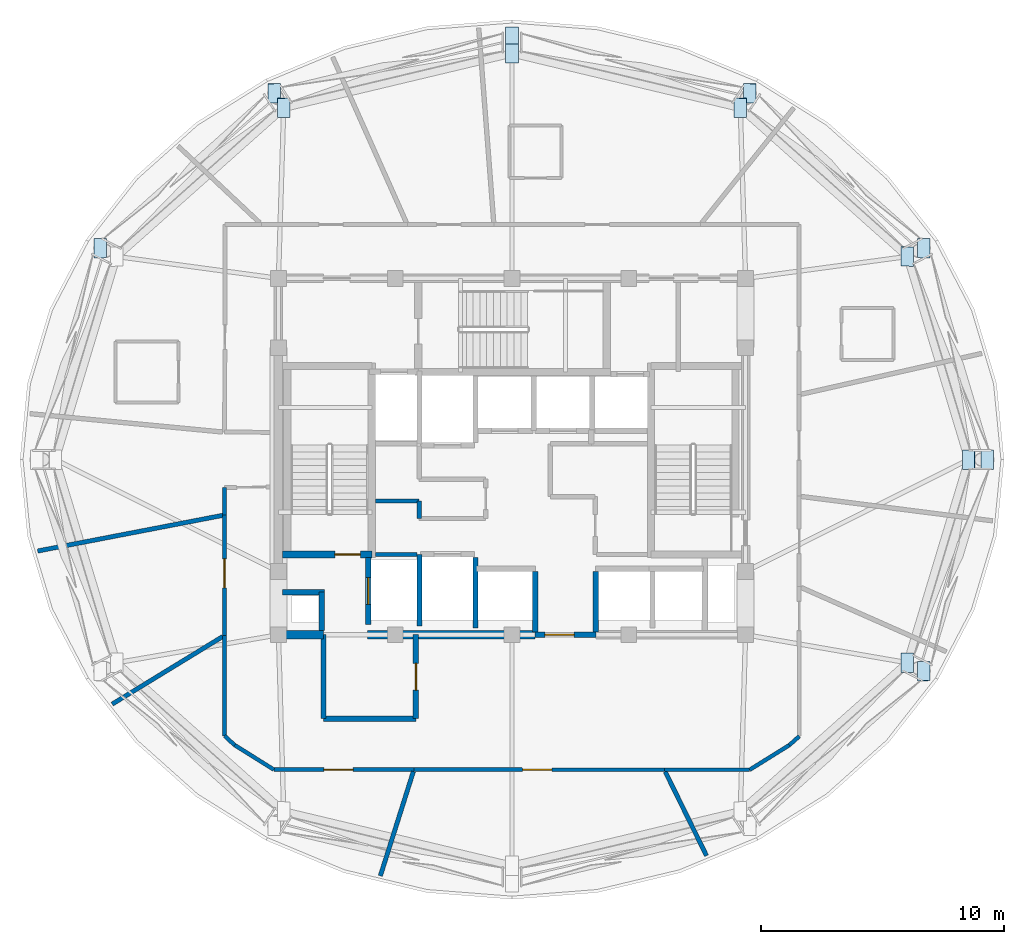
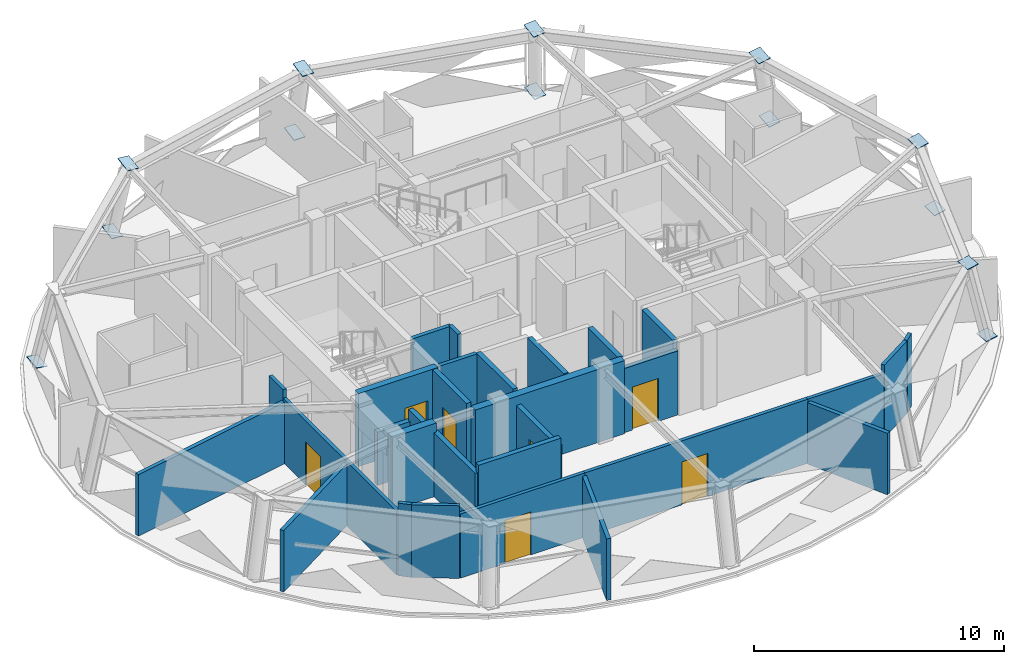
# One storey, part 4 of 11: 31 walls, 13 plates, 7 doors, 7 openings.
"""IFC4 building model written with IfcOpenShell, lengths in metres."""

from ifc_helpers import new_model, si_unit, direction, frame, frame_2d, origin, place, context, subcontext, project, spatial, polyline, rectangle, outline, extrude, material, layer, layer_set, type_object, element, fill, save


model = new_model("IFC4")

# Units and contexts
model_context = context("Model", 3, precision=1e-05, world=origin(), true_north=direction((0.0, 1.0)))
body_context = subcontext(model_context, "Body", "Model", "MODEL_VIEW")
ifc_project = project(units=[si_unit("LENGTHUNIT", "METRE"), si_unit("AREAUNIT", "SQUARE_METRE"), si_unit("VOLUMEUNIT", "CUBIC_METRE"), si_unit("PLANEANGLEUNIT", "RADIAN"), si_unit("MASSUNIT", "GRAM", prefix="KILO")], contexts=[model_context])

# Site, building, storey
site_placement = place(None, origin())
site = spatial("IfcSite", under=ifc_project, at=site_placement, CompositionType="ELEMENT")
building_placement = place(site_placement, origin())
building = spatial("IfcBuilding", under=site, at=building_placement, Name="Vantalir Tower", CompositionType="ELEMENT")
storey_placement = place(building_placement, frame((0.0, 0.0, 278.85009765625)))
storey = spatial("IfcBuildingStorey", under=building, at=storey_placement, Name="L70", CompositionType="ELEMENT", Elevation=278.85009765625)

# Plates
ifc_material_1 = material(Name="Steel S460", Category="steel")
ifc_layer_1 = layer(ifc_material_1, 0.031982421875)
ifc_layer_set_1 = layer_set([ifc_layer_1], Name="Steel S460")
plate_type = type_object("IfcPlateType", Name="PLT-KN-Z3", PredefinedType="USERDEFINED", material=ifc_layer_set_1)
plate_1_placement = place(storey_placement, frame((50.010986328125, 25.39990234375, 3.537841796875), z_axis=(-0.213696878805, 0.0, 0.976900017396), x_axis=(0.0, -1.0, 0.0)))
element("IfcPlate", 1, at=plate_1_placement, inside=storey, type_object=plate_type, Name="L70 Ring Column Top Cap RC01", ObjectType="FLANGE_PLATE", PredefinedType="USERDEFINED", context=body_context, shape_type="SweptSolid", body=[
    extrude(outline(polyline([(0.0, 0.0), (0.7998046875, 0.0), (0.7998046875, 0.5198203408302481), (0.0, 0.5198203408302481), (0.0, 0.0)])), origin(), (0.0, 0.0, -1.0), 0.031982421875),
])
plate_2_placement = place(storey_placement, frame((50.78466796875, 25.39990234375, -0.00390625), z_axis=(-0.213598875522, 0.0, 0.976921450464), x_axis=(0.0, -1.0, 0.0)))
element("IfcPlate", 2, at=plate_2_placement, inside=storey, type_object=plate_type, Name="L70 Ring Column Base Cap RC01", ObjectType="FLANGE_PLATE", PredefinedType="USERDEFINED", context=body_context, shape_type="SweptSolid", body=[
    extrude(outline(polyline([(0.0, 0.0), (0.7998046875, 0.0), (0.7998046875, 0.520058844427999), (0.0, 0.520058844427999), (0.0, 0.0)])), origin(), (0.0, 0.0, -1.0), 0.031982421875),
])
plate_3_placement = place(storey_placement, frame((47.4951171875, 33.75048828125, 3.584228515625), z_axis=(-0.185396801421, -0.095358654348, 0.97802594703), x_axis=(-2.697903e-06, -0.995280337129, -0.097041488642)))
element("IfcPlate", 3, at=plate_3_placement, inside=storey, type_object=plate_type, Name="L70 Ring Column Top Cap RC02", ObjectType="FLANGE_PLATE", PredefinedType="USERDEFINED", context=body_context, shape_type="SweptSolid", body=[
    extrude(outline(polyline([(0.0, 0.0), (0.7999190363194816, 1.734723475976807e-18), (0.8000833384191476, 0.5200034008019636), (-7.868626389083769e-05, 0.5199990077794493), (0.0, 0.0)])), origin(), (0.0, 0.0, -1.0), 0.031982421875),
])
plate_4_placement = place(storey_placement, frame((48.165771484375, 34.095703125, 0.042724609375), z_axis=(-0.18492351534, -0.09538179272, 0.978113289498), x_axis=(0.0, -0.995278949359, -0.097055720913)))
element("IfcPlate", 4, at=plate_4_placement, inside=storey, type_object=plate_type, Name="L70 Ring Column Base Cap RC02", ObjectType="FLANGE_PLATE", PredefinedType="USERDEFINED", context=body_context, shape_type="SweptSolid", body=[
    extrude(outline(polyline([(0.0, 0.0), (0.7999190364041778, 1.734723475976807e-18), (0.7998640455540513, 0.5199540188790716), (-5.499085012650347e-05, 0.5199540188790717), (0.0, 0.0)])), origin(), (0.0, 0.0, -1.0), 0.031982421875),
])
plate_5_placement = place(storey_placement, frame((40.6240234375, 39.858154296875, 3.632568359375), z_axis=(-0.107166844214, -0.165370916917, 0.980391619374), x_axis=(0.0, -0.986070348216, -0.16632879597)))
element("IfcPlate", 5, at=plate_5_placement, inside=storey, type_object=plate_type, Name="L70 Ring Column Top Cap RC03", ObjectType="FLANGE_PLATE", PredefinedType="USERDEFINED", context=body_context, shape_type="SweptSolid", body=[
    extrude(outline(polyline([(0.0, 0.0), (0.799961545139188, -1.734723475976807e-18), (0.79997294507548, 0.5198394318995309), (1.1399936291997537e-05, 0.5198394318995307), (0.0, 0.0)])), origin(), (0.0, 0.0, -1.0), 0.031982421875),
])
plate_6_placement = place(storey_placement, frame((41.0107421875, 40.455322265625, 0.0908203125), z_axis=(-0.106888019572, -0.165228379927, 0.980446089155), x_axis=(1.5992477e-05, -0.986095650698, -0.166178721315)))
element("IfcPlate", 6, at=plate_6_placement, inside=storey, type_object=plate_type, Name="L70 Ring Column Base Cap RC03", ObjectType="FLANGE_PLATE", PredefinedType="USERDEFINED", context=body_context, shape_type="SweptSolid", body=[
    extrude(outline(polyline([(0.0, 0.0), (0.7999209647954039, 0.0), (0.799989683842671, 0.520056419272266), (2.814807038352407e-05, 0.5200821527814511), (0.0, 0.0)])), origin(), (0.0, 0.0, -1.0), 0.031982421875),
])
for number, where, z_axis, x_axis, name in (
    (7, (31.239990234375, 42.088134765625, 3.669921875), (0.0, -0.191302462326, 0.981531134457), (0.0, -0.981531134457, -0.191302462326), "L70 Ring Column Top Cap RC04"),
    (8, (31.239990234375, 42.778564453125, 0.12841796875), (0.0, -0.191302462326, 0.981531134457), (0.0, -0.981531134457, -0.191302462326), "L70 Ring Column Base Cap RC04"),
):
    element("IfcPlate", number, at=place(storey_placement, frame(where, z_axis=z_axis, x_axis=x_axis)), inside=storey, type_object=plate_type, Name=name, ObjectType="FLANGE_PLATE", PredefinedType="USERDEFINED", context=body_context, shape_type="SweptSolid", body=[
        extrude(outline(polyline([(0.0, 0.0), (0.8001787850160782, 0.0), (0.8001787850160782, 0.5200195312500001), (0.0, 0.5200195312500001), (0.0, 0.0)])), origin(), (0.0, 0.0, -1.0), 0.031982421875),
    ])
plate_7_placement = place(storey_placement, frame((21.859130859375, 39.848876953125, 3.6875), z_axis=(0.107166844214, -0.165370916917, 0.980391619374), x_axis=(0.0, -0.986070348216, -0.16632879597)))
element("IfcPlate", 9, at=plate_7_placement, inside=storey, type_object=plate_type, Name="L70 Ring Column Top Cap RC05", ObjectType="FLANGE_PLATE", PredefinedType="USERDEFINED", context=body_context, shape_type="SweptSolid", body=[
    extrude(outline(polyline([(0.0, 0.0), (0.799961545139188, 1.734723475976807e-18), (0.799950145202896, 0.5198394318995309), (-1.1399936291997537e-05, 0.5198394318995307), (0.0, 0.0)])), origin(), (0.0, 0.0, -1.0), 0.031982421875),
])
plate_8_placement = place(storey_placement, frame((21.47216796875, 40.446044921875, 0.145751953125), z_axis=(0.106888019572, -0.165228379927, 0.980446089155), x_axis=(1.5991666e-05, -0.9860950793, -0.166182111925)))
element("IfcPlate", 10, at=plate_8_placement, inside=storey, type_object=plate_type, Name="L70 Ring Column Base Cap RC05", ObjectType="FLANGE_PLATE", PredefinedType="USERDEFINED", context=body_context, shape_type="SweptSolid", body=[
    extrude(outline(polyline([(0.0, 0.0), (0.7999615361861909, 0.0), (0.7999095465391076, 0.5200564212137708), (-1.1417842413973325e-05, 0.5200821534178378), (0.0, 0.0)])), origin(), (0.0, 0.0, -1.0), 0.031982421875),
])
plate_9_placement = place(storey_placement, frame((14.3232421875, 34.08642578125, 0.138427734375), z_axis=(0.18492351534, -0.09538179272, 0.978113289498), x_axis=(0.0, -0.995278949359, -0.097055720913)))
element("IfcPlate", 11, at=plate_9_placement, inside=storey, type_object=plate_type, Name="L70 Ring Column Base Cap RC06", ObjectType="FLANGE_PLATE", PredefinedType="USERDEFINED", context=body_context, shape_type="SweptSolid", body=[
    extrude(outline(polyline([(0.0, 0.0), (0.7999190364041778, -1.734723475976807e-18), (0.7999740272543044, 0.5199540188790717), (5.499085012650347e-05, 0.5199540188790717), (0.0, 0.0)])), origin(), (0.0, 0.0, -1.0), 0.031982421875),
])
plate_10_placement = place(storey_placement, frame((47.4951171875, 17.045654296875, 3.506591796875), z_axis=(-0.185396801421, 0.095358654348, 0.97802594703), x_axis=(2.697903e-06, -0.995280337129, 0.097041488642)))
element("IfcPlate", 12, at=plate_10_placement, inside=storey, type_object=plate_type, Name="L70 Ring Column Top Cap RC12", ObjectType="FLANGE_PLATE", PredefinedType="USERDEFINED", context=body_context, shape_type="SweptSolid", body=[
    extrude(outline(polyline([(0.0, 0.0), (0.7999190363194816, -1.734723475976807e-18), (0.7999977225833724, 0.5199990077794493), (-0.00016430209966595936, 0.5200034008019636), (0.0, 0.0)])), origin(), (0.0, 0.0, -1.0), 0.031982421875),
])
plate_11_placement = place(storey_placement, frame((48.165771484375, 16.700439453125, -0.034912109375), z_axis=(-0.18492351534, 0.09538179272, 0.978113289498), x_axis=(0.0, -0.995278949359, 0.097055720913)))
element("IfcPlate", 13, at=plate_11_placement, inside=storey, type_object=plate_type, Name="L70 Ring Column Base Cap RC12", ObjectType="FLANGE_PLATE", PredefinedType="USERDEFINED", context=body_context, shape_type="SweptSolid", body=[
    extrude(outline(polyline([(0.0, 0.0), (0.7999190364041778, -1.734723475976807e-18), (0.7999740272543044, 0.5199540188790717), (5.499085012650347e-05, 0.5199540188790717), (0.0, 0.0)])), origin(), (0.0, 0.0, -1.0), 0.031982421875),
])

# Walls
ifc_material_2 = material(Name="Concrete C50/60", Category="concrete")
ifc_layer_2 = layer(ifc_material_2, 0.35009765625)
ifc_layer_set_2 = layer_set([ifc_layer_2], Name="Concrete C50/60")
wall_type_1 = type_object("IfcWallType", Name="WL-CORE-350", PredefinedType="SHEAR", material=ifc_layer_set_2)
wall_1_placement = place(storey_placement, frame((21.72509765625, 17.800048828125, 0.0), z_axis=(0.0, 0.0, 1.0), x_axis=(1.0, 0.0, 0.0)))
element("IfcWall", 14, at=wall_1_placement, inside=storey, type_object=wall_type_1, Name="L70 Core Shear Wall South-West", PredefinedType="SHEAR", context=body_context, shape_type="SweptSolid", body=[
    extrude(rectangle(XDim=2.02490234375, YDim=0.35009765625, at=frame_2d((1.012451171875, 0.0))), origin(), (0.0, 0.0, 1.0), 3.56982421875),
])
wall_2_placement = place(storey_placement, frame((25.550048828125, 17.800048828125, 0.0), z_axis=(0.0, 0.0, 1.0), x_axis=(1.0, 0.0, 0.0)))
element("IfcWall", 15, at=wall_2_placement, inside=storey, type_object=wall_type_1, Name="L70 Core Shear Wall South-Mid", PredefinedType="SHEAR", context=body_context, shape_type="SweptSolid", body=[
    extrude(rectangle(XDim=6.89990234375, YDim=0.35009765625, at=frame_2d((3.449951171875, 0.0))), origin(), (0.0, 0.0, 1.0), 3.56982421875),
])
ifc_material_3 = material(Name="Fire-rated hotel corridor acoustic partition", Category="gypsum")
ifc_layer_3 = layer(ifc_material_3, 0.159912109375)
ifc_layer_set_3 = layer_set([ifc_layer_3], Name="Fire-rated hotel corridor acoustic partition")
wall_type_2 = type_object("IfcWallType", Name="WL-CORR-160", PredefinedType="PARTITIONING", material=ifc_layer_set_3)
wall_3_placement = place(storey_placement, frame((43.30908203125, 13.6279296875, 0.0), z_axis=(0.0, 0.0, 1.0), x_axis=(-0.744970479635, -0.667097432519, 0.0)))
element("IfcWall", 16, at=wall_3_placement, inside=storey, type_object=wall_type_2, Name="L70 Corridor Partition 12", PredefinedType="PARTITIONING", context=body_context, shape_type="SweptSolid", body=[
    extrude(rectangle(XDim=0.54248046875, YDim=0.159912109375, at=frame_2d((0.271240234375, 0.0))), origin(), (0.0, 0.0, 1.0), 3.5498046875),
])
wall_4_placement = place(storey_placement, frame((42.905029296875, 13.26611328125, 0.0), z_axis=(0.0, 0.0, 1.0), x_axis=(-0.84891733462, -0.528525646475, 0.0)))
element("IfcWall", 17, at=wall_4_placement, inside=storey, type_object=wall_type_2, Name="L70 Corridor Partition 13", PredefinedType="PARTITIONING", context=body_context, shape_type="SweptSolid", body=[
    extrude(rectangle(XDim=1.922607421875, YDim=0.159912109375, at=frame_2d((0.96142578125, 0.0))), origin(), (0.0, 0.0, 1.0), 3.5498046875),
])
wall_5_placement = place(storey_placement, frame((41.27294921875, 12.25, 0.0), z_axis=(0.0, 0.0, 1.0), x_axis=(-0.999999961361, 0.000277990121, 0.0)))
element("IfcWall", 18, at=wall_5_placement, inside=storey, type_object=wall_type_2, Name="L70 Corridor Partition 14", PredefinedType="PARTITIONING", context=body_context, shape_type="SweptSolid", body=[
    extrude(rectangle(XDim=3.512939453125, YDim=0.159912109375, at=frame_2d((1.75634765625, 0.0))), origin(), (0.0, 0.0, 1.0), 3.1318359375),
])

# Wall, opening, door
wall_6_placement = place(storey_placement, frame((37.760009765625, 12.2509765625, 0.0), z_axis=(0.0, 0.0, 1.0), x_axis=(-0.99999995947, 0.000284711007, 0.0)))
wall_6 = element("IfcWall", 19, at=wall_6_placement, inside=storey, type_object=wall_type_2, Name="L70 Corridor Partition 15", PredefinedType="PARTITIONING", context=body_context, shape_type="SweptSolid", body=[
    extrude(rectangle(XDim=10.2900390625, YDim=0.159912109375, at=frame_2d((5.14501953125, 0.0))), origin(), (0.0, 0.0, 1.0), 3.1318359375),
])
opening_1_placement = place(wall_6_placement, frame((4.618896484375, 0.0, 0.0)))
opening_1 = element("IfcOpeningElement", 20, at=opening_1_placement, cuts=wall_6, Name="Opening D-STE", PredefinedType="OPENING", context=body_context, shape_type="SweptSolid", body=[
    extrude(rectangle(XDim=1.199951171875, YDim=2.10009765625, at=frame_2d((0.60009765625, 1.050048828125))), frame((0.0, 0.08984375, 0.0), z_axis=(0.0, -1.0, 0.0), x_axis=(1.0, 0.0, 0.0)), (0.0, 0.0, 1.0), 0.179931640625),
])
ifc_material_4 = material(Name="Solid-core teak veneer suite entrance door", Category="wood")
door_type_1 = type_object("IfcDoorType", Name="DR-SUITE-ENTRY-1200", OperationType="NOTDEFINED", PredefinedType="DOOR", material=ifc_material_4)
door_1_placement = place(opening_1_placement, origin())
door_1 = element("IfcDoor", 21, at=door_1_placement, inside=storey, type_object=door_type_1, Name="L70 Club Reading Lounge 09 Door", OperationType="SINGLE_SWING_RIGHT", OverallHeight=2.10009765625, OverallWidth=1.199951171875, PredefinedType="DOOR", context=body_context, shape_type="SweptSolid", body=[
    extrude(rectangle(XDim=1.199951171875, YDim=2.10009765625, at=frame_2d((0.60009765625, 1.050048828125))), frame((0.0, 0.02490234375, 0.0), z_axis=(0.0, -1.0, 0.0), x_axis=(1.0, 0.0, 0.0)), (0.0, 0.0, 1.0), 0.050048828125),
])
fill(opening_1, door_1)

wall_7_placement = place(storey_placement, frame((27.469970703125, 12.25390625, 0.0), z_axis=(0.0, 0.0, 1.0), x_axis=(-0.999999927241, 0.000381469052, 0.0)))
wall_7 = element("IfcWall", 22, at=wall_7_placement, inside=storey, type_object=wall_type_2, Name="L70 Corridor Partition 16", PredefinedType="PARTITIONING", context=body_context, shape_type="SweptSolid", body=[
    extrude(rectangle(XDim=5.760009765625, YDim=0.159912109375, at=frame_2d((2.8798828125, 0.0))), origin(), (0.0, 0.0, 1.0), 3.1318359375),
])
opening_2_placement = place(wall_7_placement, frame((2.4990234375, 0.0, 0.0)))
opening_2 = element("IfcOpeningElement", 23, at=opening_2_placement, cuts=wall_7, Name="Opening D-STE", PredefinedType="OPENING", context=body_context, shape_type="SweptSolid", body=[
    extrude(rectangle(XDim=1.199951171875, YDim=2.10009765625, at=frame_2d((0.60009765625, 1.050048828125))), frame((0.0, 0.08984375, 0.0), z_axis=(0.0, -1.0, 0.0), x_axis=(1.0, 0.0, 0.0)), (0.0, 0.0, 1.0), 0.179931640625),
])
door_2_placement = place(opening_2_placement, origin())
door_2 = element("IfcDoor", 24, at=door_2_placement, inside=storey, type_object=door_type_1, Name="L70 Club Reading Lounge 08 Door", OperationType="SINGLE_SWING_LEFT", OverallHeight=2.10009765625, OverallWidth=1.199951171875, PredefinedType="DOOR", context=body_context, shape_type="SweptSolid", body=[
    extrude(rectangle(XDim=1.199951171875, YDim=2.10009765625, at=frame_2d((0.60009765625, 1.050048828125))), frame((0.0, 0.02490234375, 0.0), z_axis=(0.0, -1.0, 0.0), x_axis=(1.0, 0.0, 0.0)), (0.0, 0.0, 1.0), 0.050048828125),
])
fill(opening_2, door_2)

# Walls
wall_8_placement = place(storey_placement, frame((21.7099609375, 12.256103515625, 0.0), z_axis=(0.0, 0.0, 1.0), x_axis=(-0.847847057247, 0.530240858024, 0.0)))
element("IfcWall", 25, at=wall_8_placement, inside=storey, type_object=wall_type_2, Name="L70 Corridor Partition 17", PredefinedType="PARTITIONING", context=body_context, shape_type="SweptSolid", body=[
    extrude(rectangle(XDim=1.90478515625, YDim=0.159912109375, at=frame_2d((0.952392578125, 0.0))), origin(), (0.0, 0.0, 1.0), 3.5498046875),
])
wall_9_placement = place(storey_placement, frame((20.094970703125, 13.26611328125, 0.0), z_axis=(0.0, 0.0, 1.0), x_axis=(-0.736149957839, 0.6768184687, 0.0)))
element("IfcWall", 26, at=wall_9_placement, inside=storey, type_object=wall_type_2, Name="L70 Corridor Partition 18", PredefinedType="PARTITIONING", context=body_context, shape_type="SweptSolid", body=[
    extrude(rectangle(XDim=0.555419921875, YDim=0.159912109375, at=frame_2d((0.27783203125, 0.0))), origin(), (0.0, 0.0, 1.0), 3.5498046875),
])
wall_10_placement = place(storey_placement, frame((19.68603515625, 13.64208984375, 0.0), z_axis=(0.0, 0.0, 1.0), x_axis=(-0.000236350738, 0.999999972069, 0.0)))
element("IfcWall", 27, at=wall_10_placement, inside=storey, type_object=wall_type_2, Name="L70 Corridor Partition 19", PredefinedType="PARTITIONING", context=body_context, shape_type="SweptSolid", body=[
    extrude(rectangle(XDim=4.1318359375, YDim=0.159912109375, at=frame_2d((2.06591796875, 0.0))), origin(), (0.0, 0.0, 1.0), 3.1318359375),
])

# Wall, opening, door
wall_11_placement = place(storey_placement, frame((19.68505859375, 17.77392578125, 0.0), z_axis=(0.0, 0.0, 1.0), x_axis=(0.0, 1.0, 0.0)))
wall_11 = element("IfcWall", 28, at=wall_11_placement, inside=storey, type_object=wall_type_2, Name="L70 Corridor Partition 20", PredefinedType="PARTITIONING", context=body_context, shape_type="SweptSolid", body=[
    extrude(rectangle(XDim=4.948974609375, YDim=0.159912109375, at=frame_2d((2.474609375, 0.0))), origin(), (0.0, 0.0, 1.0), 3.1318359375),
])
opening_3_placement = place(wall_11_placement, frame((1.948974609375, 0.0, 0.0)))
opening_3 = element("IfcOpeningElement", 29, at=opening_3_placement, cuts=wall_11, Name="Opening D-STE", PredefinedType="OPENING", context=body_context, shape_type="SweptSolid", body=[
    extrude(rectangle(XDim=1.199951171875, YDim=2.10009765625, at=frame_2d((0.60009765625, 1.050048828125))), frame((0.0, 0.08984375, 0.0), z_axis=(0.0, -1.0, 0.0), x_axis=(1.0, 0.0, 0.0)), (0.0, 0.0, 1.0), 0.179931640625),
])
door_3_placement = place(opening_3_placement, origin())
door_3 = element("IfcDoor", 30, at=door_3_placement, inside=storey, type_object=door_type_1, Name="L70 Executive Sky Boardroom 07 Door", OperationType="SINGLE_SWING_RIGHT", OverallHeight=2.10009765625, OverallWidth=1.199951171875, PredefinedType="DOOR", context=body_context, shape_type="SweptSolid", body=[
    extrude(rectangle(XDim=1.199951171875, YDim=2.10009765625, at=frame_2d((0.60009765625, 1.050048828125))), frame((0.0, 0.02490234375, 0.0), z_axis=(0.0, -1.0, 0.0), x_axis=(1.0, 0.0, 0.0)), (0.0, 0.0, 1.0), 0.050048828125),
])
fill(opening_3, door_3)

# Walls
wall_12_placement = place(storey_placement, frame((19.68505859375, 22.722900390625, 0.0), z_axis=(0.0, 0.0, 1.0), x_axis=(0.0, 1.0, 0.0)))
element("IfcWall", 31, at=wall_12_placement, inside=storey, type_object=wall_type_2, Name="L70 Corridor Partition 21", PredefinedType="PARTITIONING", context=body_context, shape_type="SweptSolid", body=[
    extrude(rectangle(XDim=1.127197265625, YDim=0.159912109375, at=frame_2d((0.5634765625, 0.0))), origin(), (0.0, 0.0, 1.0), 3.5498046875),
])
ifc_material_5 = material(Name="Concrete blockwork with fireboard lining", Category="masonry")
ifc_layer_4 = layer(ifc_material_5, 0.219970703125)
ifc_layer_set_4 = layer_set([ifc_layer_4], Name="Concrete blockwork with fireboard lining")
wall_type_3 = type_object("IfcWallType", Name="WL-FFL-220", PredefinedType="PARTITIONING", material=ifc_layer_set_4)
wall_13_placement = place(storey_placement, frame((30.0, 18.080078125, 0.0), z_axis=(0.0, 0.0, 1.0), x_axis=(0.0, 1.0, 0.0)))
element("IfcWall", 32, at=wall_13_placement, inside=storey, type_object=wall_type_3, Name="L70 Service Lift SV1 East Shaft Wall", PredefinedType="PARTITIONING", context=body_context, shape_type="SweptSolid", body=[
    extrude(rectangle(XDim=2.89990234375, YDim=0.219970703125, at=frame_2d((1.449951171875, 0.0))), origin(), (0.0, 0.0, 1.0), 3.544921875),
])
for number, where, z_axis, x_axis, name in (
    (33, (32.449951171875, 17.919921875, 0.0), (0.0, 0.0, 1.0), (0.0, 1.0, 0.0), "L70 Shuttle Lift PL-X1 East Shaft Cheek"),
    (34, (34.949951171875, 17.919921875, 0.0), (0.0, 0.0, 1.0), (0.0, 1.0, 0.0), "L70 Shuttle Lift PL-X3 West Shaft Cheek"),
):
    element("IfcWall", number, at=place(storey_placement, frame(where, z_axis=z_axis, x_axis=x_axis)), inside=storey, type_object=wall_type_3, Name=name, PredefinedType="PARTITIONING", context=body_context, shape_type="SweptSolid", body=[
        extrude(rectangle(XDim=2.469970703125, YDim=0.219970703125, at=frame_2d((1.23486328125, 0.0))), origin(), (0.0, 0.0, 1.0), 3.544921875),
    ])

# Wall, opening, door
wall_14_placement = place(storey_placement, frame((32.449951171875, 17.800048828125, 0.0), z_axis=(0.0, 0.0, 1.0), x_axis=(1.0, 0.0, 0.0)))
wall_14 = element("IfcWall", 35, at=wall_14_placement, inside=storey, type_object=wall_type_3, Name="L70 Passenger Lift Lobby South Wall", PredefinedType="PARTITIONING", context=body_context, shape_type="SweptSolid", body=[
    extrude(rectangle(XDim=2.5, YDim=0.219970703125, at=frame_2d((1.25, 0.0))), origin(), (0.0, 0.0, 1.0), 3.1318359375),
])
opening_4_placement = place(wall_14_placement, frame((0.39990234375, 0.0, 0.0)))
opening_4 = element("IfcOpeningElement", 36, at=opening_4_placement, cuts=wall_14, Name="Opening D-STE", PredefinedType="OPENING", context=body_context, shape_type="SweptSolid", body=[
    extrude(rectangle(XDim=1.199951171875, YDim=2.10009765625, at=frame_2d((0.60009765625, 1.050048828125))), frame((0.0, 0.119873046875, 0.0), z_axis=(0.0, -1.0, 0.0), x_axis=(1.0, 0.0, 0.0)), (0.0, 0.0, 1.0), 0.239990234375),
])
door_4_placement = place(opening_4_placement, origin())
door_4 = element("IfcDoor", 37, at=door_4_placement, inside=storey, type_object=door_type_1, Name="L70 Passenger Lift Lobby Concourse Door", OperationType="SINGLE_SWING_LEFT", OverallHeight=2.10009765625, OverallWidth=1.199951171875, PredefinedType="DOOR", context=body_context, shape_type="SweptSolid", body=[
    extrude(rectangle(XDim=1.199951171875, YDim=2.10009765625, at=frame_2d((0.60009765625, 1.050048828125))), frame((0.0, 0.02490234375, 0.0), z_axis=(0.0, -1.0, 0.0), x_axis=(1.0, 0.0, 0.0)), (0.0, 0.0, 1.0), 0.050048828125),
])
fill(opening_4, door_4)

# Walls
wall_15_placement = place(storey_placement, frame((23.679931640625, 17.97509765625, 0.0), z_axis=(0.0, 0.0, 1.0), x_axis=(0.0, 1.0, 0.0)))
element("IfcWall", 38, at=wall_15_placement, inside=storey, type_object=wall_type_3, Name="L70 West MEP Riser Wall E", PredefinedType="PARTITIONING", context=body_context, shape_type="SweptSolid", body=[
    extrude(rectangle(XDim=1.574951171875, YDim=0.219970703125, at=frame_2d((0.78759765625, 0.0))), origin(), (0.0, 0.0, 1.0), 3.1318359375),
])
wall_16_placement = place(storey_placement, frame((22.074951171875, 19.550048828125, 0.0), z_axis=(0.0, 0.0, 1.0), x_axis=(1.0, 0.0, 0.0)))
element("IfcWall", 39, at=wall_16_placement, inside=storey, type_object=wall_type_3, Name="L70 West MEP Riser Wall N", PredefinedType="PARTITIONING", context=body_context, shape_type="SweptSolid", body=[
    extrude(rectangle(XDim=1.715087890625, YDim=0.219970703125, at=frame_2d((0.857421875, 0.0))), origin(), (0.0, 0.0, 1.0), 2.594970703125),
])

# Wall, opening, door
wall_17_placement = place(storey_placement, frame((25.590087890625, 18.219970703125, 0.0), z_axis=(0.0, 0.0, 1.0), x_axis=(0.0, 1.0, 0.0)))
wall_17 = element("IfcWall", 40, at=wall_17_placement, inside=storey, type_object=wall_type_3, Name="L70 Lift FL1 Shaft Front Wall", PredefinedType="PARTITIONING", context=body_context, shape_type="SweptSolid", body=[
    extrude(rectangle(XDim=2.760009765625, YDim=0.219970703125, at=frame_2d((1.3798828125, 0.0))), origin(), (0.0, 0.0, 1.0), 3.5498046875),
])
opening_5_placement = place(wall_17_placement, frame((0.830078125, 0.0, 0.0)))
opening_5 = element("IfcOpeningElement", 41, at=opening_5_placement, cuts=wall_17, Name="Opening LD-FL1", PredefinedType="OPENING", context=body_context, shape_type="SweptSolid", body=[
    extrude(rectangle(XDim=1.10009765625, YDim=2.199951171875, at=frame_2d((0.550048828125, 1.10009765625))), frame((0.0, 0.119873046875, 0.0), z_axis=(0.0, -1.0, 0.0), x_axis=(1.0, 0.0, 0.0)), (0.0, 0.0, 1.0), 0.239990234375),
])
ifc_material_6 = material(Name="Brushed stainless-steel sliding lift landing door", Category="steel")
door_type_2 = type_object("IfcDoorType", Name="DR-LIFT-LANDING-1100", OperationType="DOUBLE_DOOR_SLIDING", PredefinedType="DOOR", material=ifc_material_6)
door_5_placement = place(opening_5_placement, origin())
door_5 = element("IfcDoor", 42, at=door_5_placement, inside=storey, type_object=door_type_2, Name="L70 Lift Landing Door FL1", OperationType="DOUBLE_DOOR_SLIDING", OverallHeight=2.199951171875, OverallWidth=1.10009765625, PredefinedType="DOOR", context=body_context, shape_type="SweptSolid", body=[
    extrude(rectangle(XDim=1.10009765625, YDim=2.199951171875, at=frame_2d((0.550048828125, 1.10009765625))), frame((0.0, 0.02490234375, 0.0), z_axis=(0.0, -1.0, 0.0), x_axis=(1.0, 0.0, 0.0)), (0.0, 0.0, 1.0), 0.050048828125),
])
fill(opening_5, door_5)

# Walls
wall_18_placement = place(storey_placement, frame((27.699951171875, 18.14990234375, 0.0), z_axis=(0.0, 0.0, 1.0), x_axis=(0.0, 1.0, 0.0)))
element("IfcWall", 43, at=wall_18_placement, inside=storey, type_object=wall_type_3, Name="L70 Fire Lift FL1 Dividing Wall", PredefinedType="PARTITIONING", context=body_context, shape_type="SweptSolid", body=[
    extrude(rectangle(XDim=2.9501953125, YDim=0.219970703125, at=frame_2d((1.47509765625, 0.0))), origin(), (0.0, 0.0, 1.0), 3.5498046875),
])
wall_19_placement = place(storey_placement, frame((23.75, 14.35009765625, 0.0), z_axis=(0.0, 0.0, 1.0), x_axis=(0.0, 1.0, 0.0)))
element("IfcWall", 44, at=wall_19_placement, inside=storey, type_object=wall_type_3, Name="L70 Firefighting Lobby West Outer W", PredefinedType="PARTITIONING", context=body_context, shape_type="SweptSolid", body=[
    extrude(rectangle(XDim=3.449951171875, YDim=0.219970703125, at=frame_2d((1.72509765625, 0.0))), origin(), (0.0, 0.0, 1.0), 3.1318359375),
])
wall_20_placement = place(storey_placement, frame((23.75, 14.35009765625, 0.0), z_axis=(0.0, 0.0, 1.0), x_axis=(1.0, 0.0, 0.0)))
element("IfcWall", 45, at=wall_20_placement, inside=storey, type_object=wall_type_3, Name="L70 Firefighting Lobby West South Wall", PredefinedType="PARTITIONING", context=body_context, shape_type="SweptSolid", body=[
    extrude(rectangle(XDim=3.800048828125, YDim=0.219970703125, at=frame_2d((1.89990234375, 0.0))), origin(), (0.0, 0.0, 1.0), 3.5498046875),
])

# Wall, opening, door
wall_21_placement = place(storey_placement, frame((27.550048828125, 14.35009765625, 0.0), z_axis=(0.0, 0.0, 1.0), x_axis=(0.0, 1.0, 0.0)))
wall_21 = element("IfcWall", 46, at=wall_21_placement, inside=storey, type_object=wall_type_3, Name="L70 Firefighting Lobby West East Wall", PredefinedType="PARTITIONING", context=body_context, shape_type="SweptSolid", body=[
    extrude(rectangle(XDim=3.449951171875, YDim=0.219970703125, at=frame_2d((1.72509765625, 0.0))), origin(), (0.0, 0.0, 1.0), 3.1318359375),
])
opening_6_placement = place(wall_21_placement, frame((1.175048828125, 0.0, 0.0)))
opening_6 = element("IfcOpeningElement", 47, at=opening_6_placement, cuts=wall_21, Name="Opening D-FFL", PredefinedType="OPENING", context=body_context, shape_type="SweptSolid", body=[
    extrude(rectangle(XDim=1.10009765625, YDim=2.10009765625, at=frame_2d((0.550048828125, 1.050048828125))), frame((0.0, 0.119873046875, 0.0), z_axis=(0.0, -1.0, 0.0), x_axis=(1.0, 0.0, 0.0)), (0.0, 0.0, 1.0), 0.239990234375),
])
ifc_material_7 = material(Name="Fire-rated acoustic steel door", Category="steel")
door_type_3 = type_object("IfcDoorType", Name="DR-FIRE-LOBBY-1100", OperationType="NOTDEFINED", PredefinedType="DOOR", material=ifc_material_7)
door_6_placement = place(opening_6_placement, origin())
door_6 = element("IfcDoor", 48, at=door_6_placement, inside=storey, type_object=door_type_3, Name="L70 Firefighting Lobby West Access Door", OperationType="SINGLE_SWING_LEFT", OverallHeight=2.10009765625, OverallWidth=1.10009765625, PredefinedType="DOOR", context=body_context, shape_type="SweptSolid", body=[
    extrude(rectangle(XDim=1.10009765625, YDim=2.10009765625, at=frame_2d((0.550048828125, 1.050048828125))), frame((0.0, 0.02490234375, 0.0), z_axis=(0.0, -1.0, 0.0), x_axis=(1.0, 0.0, 0.0)), (0.0, 0.0, 1.0), 0.050048828125),
])
fill(opening_6, door_6)

# Walls
ifc_material_8 = material(Name="Twin-stud acoustic fire-rated gypsum partition", Category="gypsum")
ifc_layer_5 = layer(ifc_material_8, 0.179931640625)
ifc_layer_set_5 = layer_set([ifc_layer_5], Name="Twin-stud acoustic fire-rated gypsum partition")
wall_type_4 = type_object("IfcWallType", Name="WL-GUEST-180", PredefinedType="PARTITIONING", material=ifc_layer_set_5)
wall_22_placement = place(storey_placement, frame((25.889892578125, 21.10009765625, 0.0), z_axis=(0.0, 0.0, 1.0), x_axis=(1.0, 0.0, 0.0)))
element("IfcWall", 49, at=wall_22_placement, inside=storey, type_object=wall_type_4, Name="L70 Freed West Core South Wall", PredefinedType="PARTITIONING", context=body_context, shape_type="SweptSolid", body=[
    extrude(rectangle(XDim=1.7001953125, YDim=0.179931640625, at=frame_2d((0.85009765625, 0.0))), origin(), (0.0, 0.0, 1.0), 3.5498046875),
])
wall_23_placement = place(storey_placement, frame((25.889892578125, 23.300048828125, 0.0), z_axis=(0.0, 0.0, 1.0), x_axis=(1.0, 0.0, 0.0)))
element("IfcWall", 50, at=wall_23_placement, inside=storey, type_object=wall_type_4, Name="L70 West Linen South-West Wall", PredefinedType="PARTITIONING", context=body_context, shape_type="SweptSolid", body=[
    extrude(rectangle(XDim=1.7900390625, YDim=0.179931640625, at=frame_2d((0.89501953125, 0.0))), origin(), (0.0, 0.0, 1.0), 3.5498046875),
])
wall_24_placement = place(storey_placement, frame((27.679931640625, 22.580078125, 0.0), z_axis=(0.0, 0.0, 1.0), x_axis=(0.0, 1.0, 0.0)))
element("IfcWall", 51, at=wall_24_placement, inside=storey, type_object=wall_type_4, Name="L70 West Linen Step Wall", PredefinedType="PARTITIONING", context=body_context, shape_type="SweptSolid", body=[
    extrude(rectangle(XDim=0.719970703125, YDim=0.179931640625, at=frame_2d((0.35986328125, 0.0))), origin(), (0.0, 0.0, 1.0), 3.5498046875),
])
wall_25_placement = place(storey_placement, frame((19.610107421875, 22.7080078125, 0.0), z_axis=(0.0, 0.0, 1.0), x_axis=(-0.981935582375, -0.18921551751, 0.0)))
element("IfcWall", 52, at=wall_25_placement, inside=storey, type_object=wall_type_4, Name="L70 Radial Suite Partition 07", PredefinedType="PARTITIONING", context=body_context, shape_type="SweptSolid", body=[
    extrude(rectangle(XDim=7.748046875, YDim=0.179931640625, at=frame_2d((3.8740234375, 0.0))), origin(), (0.0, 0.0, 1.0), 3.0029296875),
])
wall_26_placement = place(storey_placement, frame((19.610107421875, 17.72802734375, 0.0), z_axis=(0.0, 0.0, 1.0), x_axis=(-0.853110707967, -0.521729930091, 0.0)))
element("IfcWall", 53, at=wall_26_placement, inside=storey, type_object=wall_type_4, Name="L70 Radial Suite Partition 08", PredefinedType="PARTITIONING", context=body_context, shape_type="SweptSolid", body=[
    extrude(rectangle(XDim=5.32666015625, YDim=0.179931640625, at=frame_2d((2.663330078125, 0.0))), origin(), (0.0, 0.0, 1.0), 3.0029296875),
])
wall_27_placement = place(storey_placement, frame((27.445068359375, 12.175048828125, 0.0), z_axis=(0.0, 0.0, 1.0), x_axis=(-0.301625158596, -0.95342659062, 0.0)))
element("IfcWall", 54, at=wall_27_placement, inside=storey, type_object=wall_type_4, Name="L70 Radial Suite Partition 09", PredefinedType="PARTITIONING", context=body_context, shape_type="SweptSolid", body=[
    extrude(rectangle(XDim=4.49560546875, YDim=0.179931640625, at=frame_2d((2.247802734375, 0.0))), origin(), (0.0, 0.0, 1.0), 3.0029296875),
])
wall_28_placement = place(storey_placement, frame((37.798095703125, 12.175048828125, 0.0), z_axis=(0.0, 0.0, 1.0), x_axis=(0.440645375208, -0.897681264875, 0.0)))
element("IfcWall", 55, at=wall_28_placement, inside=storey, type_object=wall_type_4, Name="L70 Radial Suite Partition 10", PredefinedType="PARTITIONING", context=body_context, shape_type="SweptSolid", body=[
    extrude(rectangle(XDim=3.85791015625, YDim=0.179931640625, at=frame_2d((1.928955078125, 0.0))), origin(), (0.0, 0.0, 1.0), 3.0029296875),
])

# Wall, opening, door
ifc_layer_6 = layer(ifc_material_2, 0.300048828125)
ifc_layer_set_6 = layer_set([ifc_layer_6], Name="Concrete C50/60")
wall_type_5 = type_object("IfcWallType", Name="WL-STAIR-300", PredefinedType="SHEAR", material=ifc_layer_set_6)
wall_29_placement = place(storey_placement, frame((22.074951171875, 21.10009765625, 0.0), z_axis=(0.0, 0.0, 1.0), x_axis=(1.0, 0.0, 0.0)))
wall_29 = element("IfcWall", 56, at=wall_29_placement, inside=storey, type_object=wall_type_5, Name="L70 Stair ST1 South Wall", PredefinedType="SHEAR", context=body_context, shape_type="SweptSolid", body=[
    extrude(rectangle(XDim=3.6650390625, YDim=0.300048828125, at=frame_2d((1.83251953125, 0.0))), origin(), (0.0, 0.0, 1.0), 3.56982421875),
])
opening_7_placement = place(wall_29_placement, frame((2.14501953125, 0.0, 0.0)))
opening_7 = element("IfcOpeningElement", 57, at=opening_7_placement, cuts=wall_29, Name="Opening D-ST", PredefinedType="OPENING", context=body_context, shape_type="SweptSolid", body=[
    extrude(rectangle(XDim=1.050048828125, YDim=2.10009765625, at=frame_2d((0.52490234375, 1.050048828125))), frame((0.0, 0.159912109375, 0.0), z_axis=(0.0, -1.0, 0.0), x_axis=(1.0, 0.0, 0.0)), (0.0, 0.0, 1.0), 0.320068359375),
])
ifc_material_9 = material(Name="Fire-rated steel door leaf", Category="steel")
door_type_4 = type_object("IfcDoorType", Name="DR-FIRE-STAIR-1050", OperationType="NOTDEFINED", PredefinedType="DOOR", material=ifc_material_9)
door_7_placement = place(opening_7_placement, origin())
door_7 = element("IfcDoor", 58, at=door_7_placement, inside=storey, type_object=door_type_4, Name="L70 Exit Stair ST1 Fire Door", OperationType="SINGLE_SWING_LEFT", OverallHeight=2.10009765625, OverallWidth=1.050048828125, PredefinedType="DOOR", context=body_context, shape_type="SweptSolid", body=[
    extrude(rectangle(XDim=1.050048828125, YDim=2.10009765625, at=frame_2d((0.52490234375, 1.050048828125))), frame((0.0, 0.02490234375, 0.0), z_axis=(0.0, -1.0, 0.0), x_axis=(1.0, 0.0, 0.0)), (0.0, 0.0, 1.0), 0.050048828125),
])
fill(opening_7, door_7)

save(model, "model.ifc")
